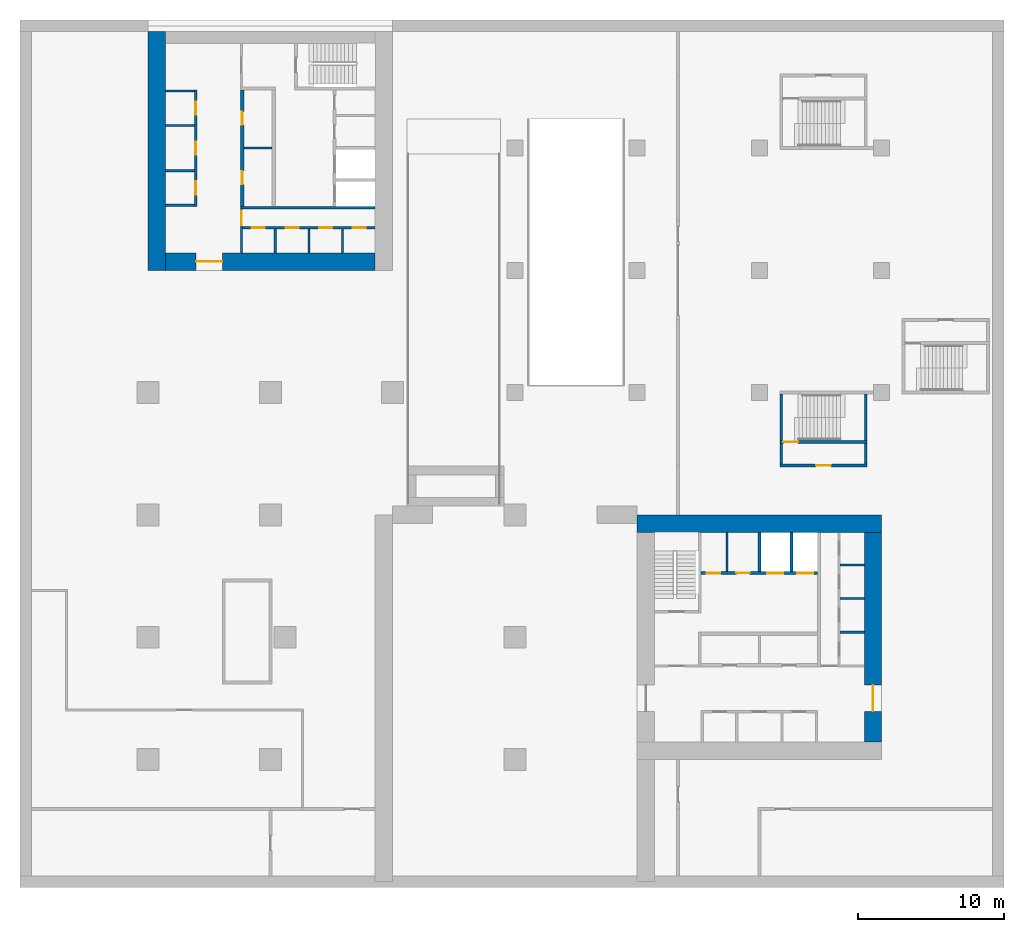
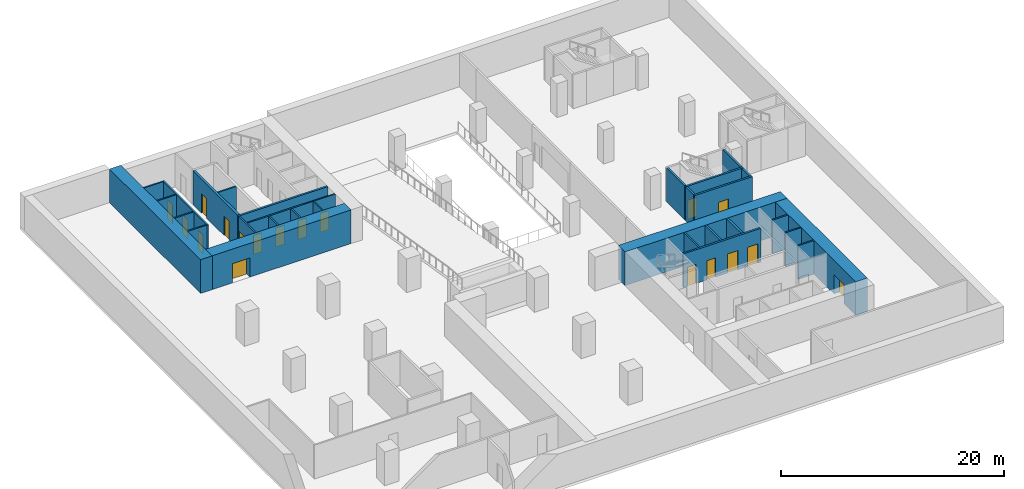
# One storey, part 4 of 7: 30 walls, 18 doors, 18 openings.
"""IFC4 building model written with IfcOpenShell, lengths in metres."""

import ifcopenshell
import ifcopenshell.guid

model = None  # the IFC model being written
_history = None  # IfcOwnerHistory: only IFC2X3 demands one
_inside = {}  # id of a spatial element -> (the spatial element, [elements in it])
_under = {}  # id of a project, library or spatial element -> (it, [spatial elements below it])
_declared = {}  # id of a project -> (the project, [libraries it declares])
_typed = {}  # id of a type object -> (the type object, [elements of that type])
_made_of = {}  # id of a material, layer set ... -> (it, [elements and type objects made of it])


def new_model(schema):
    """Start an empty IFC model of exactly this schema.

    Asked for "IFC4X3", IfcOpenShell would pick the latest addendum, in which some entities
    have other attributes; the version numbers below select the first issue.
    IFC2X3 requires an IfcOwnerHistory on every rooted entity: one is made here for all.
    """
    global model, _history
    if schema == "IFC4X3":
        model = ifcopenshell.file(schema_version=(4, 3, 0, 0))
    else:
        model = ifcopenshell.file(schema=schema)
    _inside.clear()
    _under.clear()
    _declared.clear()
    _typed.clear()
    _made_of.clear()
    _history = None
    if model.schema == "IFC2X3":
        org = make("IfcOrganization", Name="unknown")
        user = make(
            "IfcPersonAndOrganization",
            ThePerson=make("IfcPerson", FamilyName="unknown"),
            TheOrganization=org,
        )
        app = make(
            "IfcApplication",
            ApplicationDeveloper=org,
            Version="unknown",
            ApplicationFullName="unknown",
            ApplicationIdentifier="unknown",
        )
        _history = make(
            "IfcOwnerHistory",
            OwningUser=user,
            OwningApplication=app,
            ChangeAction="ADDED",
            CreationDate=0,
        )
    return model


def make(cls, **values):
    """One entity of the class cls with the attributes given. An attribute that is None is left unset."""
    return model.create_entity(
        cls, **{name: value for name, value in values.items() if value is not None}
    )


def rooted(cls, **values):
    """An entity with a GlobalId (a new one), such as an element, a storey or a relation."""
    return make(cls, GlobalId=ifcopenshell.guid.new(), OwnerHistory=_history, **values)


def si_unit(unit_type, name, prefix=None):
    """IfcSIUnit, for example si_unit("LENGTHUNIT", "METRE", prefix="MILLI")."""
    return make("IfcSIUnit", UnitType=unit_type, Prefix=prefix, Name=name)


def assignment(units):
    """IfcUnitAssignment: the units of a project."""
    return None if units is None else make("IfcUnitAssignment", Units=units)


def point(xyz):
    """IfcCartesianPoint."""
    return None if xyz is None else make("IfcCartesianPoint", Coordinates=xyz)


def direction(xyz):
    """IfcDirection."""
    return None if xyz is None else make("IfcDirection", DirectionRatios=xyz)


def frame(location, z_axis=None, x_axis=None):
    """IfcAxis2Placement3D, a coordinate frame: its origin and axes. An axis left out is left unset."""
    return make(
        "IfcAxis2Placement3D",
        Location=point(location),
        Axis=direction(z_axis),
        RefDirection=direction(x_axis),
    )


def frame_2d(location, x_axis=None):
    """IfcAxis2Placement2D, a coordinate frame in the plane: its origin and x axis."""
    return make(
        "IfcAxis2Placement2D", Location=point(location), RefDirection=direction(x_axis)
    )


def origin():
    """The frame at (0, 0, 0) with its axes left unset."""
    return frame((0.0, 0.0, 0.0))


def place(relative_to, where):
    """IfcLocalPlacement: puts the frame where relative to a parent placement (None: the world)."""
    return make(
        "IfcLocalPlacement", PlacementRelTo=relative_to, RelativePlacement=where
    )


def context(
    kind, dimensions, precision=None, world=None, true_north=None, identifier=None
):
    """IfcGeometricRepresentationContext, for example the 3D "Model" context."""
    return make(
        "IfcGeometricRepresentationContext",
        ContextIdentifier=identifier,
        ContextType=kind,
        CoordinateSpaceDimension=dimensions,
        Precision=precision,
        WorldCoordinateSystem=world,
        TrueNorth=true_north,
    )


def subcontext(parent, identifier, kind, view, scale=None):
    """IfcGeometricRepresentationSubContext, for example "Body" below "Model"."""
    return make(
        "IfcGeometricRepresentationSubContext",
        ContextIdentifier=identifier,
        ContextType=kind,
        ParentContext=parent,
        TargetScale=scale,
        TargetView=view,
    )


def project(units=None, contexts=None):
    """IfcProject with its units and contexts."""
    return rooted(
        "IfcProject",
        Name="project",
        RepresentationContexts=contexts,
        UnitsInContext=assignment(units),
    )


def spatial(cls, under=None, at=None, **own):
    """A site, building, storey or space (cls), placed at a placement, below another one or the project."""
    s = rooted(cls, ObjectPlacement=at, **own)
    if under is not None:
        _under.setdefault(under.id(), (under, []))[1].append(s)
    return s


def profile(cls, at=None, kind="AREA", **sizes):
    """A parametric profile (cls). Its sizes go by their IFC names, for example OverallWidth=200.0."""
    return make(cls, ProfileType=kind, Position=at, **sizes)


def rectangle(**sizes):
    """IfcRectangleProfileDef."""
    return profile("IfcRectangleProfileDef", **sizes)


def extrude(swept, where, along, depth):
    """IfcExtrudedAreaSolid: the profile swept, set in the frame where, extruded along a direction by depth."""
    return make(
        "IfcExtrudedAreaSolid",
        SweptArea=swept,
        Position=where,
        ExtrudedDirection=direction(along),
        Depth=depth,
    )


def shape(context_of_items, identifier, shape_type, items):
    """IfcShapeRepresentation: the items that make up one representation, for example the "Body"."""
    return make(
        "IfcShapeRepresentation",
        ContextOfItems=context_of_items,
        RepresentationIdentifier=identifier,
        RepresentationType=shape_type,
        Items=items,
    )


def material(Name=None, Category=None):
    """IfcMaterial."""
    return make("IfcMaterial", Name=Name, Category=Category)


def layer(
    of_material, thickness, ventilated=None, Name=None, Category=None, Priority=None
):
    """IfcMaterialLayer: one layer of a wall or slab, of a material (None: an air gap)."""
    return make(
        "IfcMaterialLayer",
        Material=of_material,
        LayerThickness=thickness,
        IsVentilated=ventilated,
        Name=Name,
        Category=Category,
        Priority=Priority,
    )


def layer_set(layers, Name=None):
    """IfcMaterialLayerSet."""
    return make("IfcMaterialLayerSet", MaterialLayers=layers, LayerSetName=Name)


def made_of(thing, what):
    """Note that an element or type object is made of a material, layer set ...; save() writes the relation."""
    if what is not None:
        _made_of.setdefault(what.id(), (what, []))[1].append(thing)
    return thing


def type_object(cls, material=None, **own):
    """A type object (cls), such as IfcWallType, which elements share."""
    return made_of(rooted(cls, **own), material)


def element(
    cls,
    number,
    at=None,
    inside=None,
    cuts=None,
    type_object=None,
    material=None,
    context=None,
    identifier="Body",
    shape_type=None,
    held_by="IfcProductDefinitionShape",
    body=None,
    shapes=None,
    **own,
):
    """One element of the class cls, such as IfcWall. Its Tag is "e" and its number.

    at: its placement. inside: the storey or other place that contains it. cuts: it is an
    opening in that element (IfcRelVoidsElement). A single representation is given by context,
    identifier, shape_type and body (its items); several are given by shapes. held_by: the class
    of the entity that holds the representations. save() writes the other relations.
    """
    e = rooted(cls, Tag="e%d" % number, ObjectPlacement=at, **own)
    if body is not None:
        shapes = [shape(context, identifier, shape_type, body)]
    if shapes is not None:
        e.Representation = make(held_by, Representations=shapes)
    if inside is not None:
        _inside.setdefault(inside.id(), (inside, []))[1].append(e)
    if cuts is not None:
        rooted(
            "IfcRelVoidsElement", RelatingBuildingElement=cuts, RelatedOpeningElement=e
        )
    if type_object is not None:
        _typed.setdefault(type_object.id(), (type_object, []))[1].append(e)
    return made_of(e, material)


def fill(opening, filler):
    """IfcRelFillsElement: the door or window that sits in an opening."""
    return rooted(
        "IfcRelFillsElement",
        RelatingOpeningElement=opening,
        RelatedBuildingElement=filler,
    )


def aggregate(whole, parts):
    """IfcRelAggregates: a whole, such as a stair, and the parts it consists of."""
    return rooted("IfcRelAggregates", RelatingObject=whole, RelatedObjects=parts)


def save(model, path):
    """Write the relations noted so far, then the file.

    IfcRelAggregates (storeys below a building ...), IfcRelContainedInSpatialStructure (elements
    in a storey), IfcRelDefinesByType, IfcRelAssociatesMaterial and IfcRelDeclares: one each for
    every whole, place, type object, material and project.
    """
    for whole, parts in _under.values():
        aggregate(whole, parts)
    for where, things in _inside.values():
        rooted(
            "IfcRelContainedInSpatialStructure",
            RelatedElements=things,
            RelatingStructure=where,
        )
    for kind, things in _typed.values():
        rooted("IfcRelDefinesByType", RelatedObjects=things, RelatingType=kind)
    for what, things in _made_of.values():
        rooted("IfcRelAssociatesMaterial", RelatedObjects=things, RelatingMaterial=what)
    for by, libraries in _declared.values():
        rooted("IfcRelDeclares", RelatingContext=by, RelatedDefinitions=libraries)
    model.write(path)


model = new_model("IFC4")

# Units and contexts
model_context = context("Model", 3, precision=1e-05, world=origin(), true_north=direction((0.0, 1.0)))
body_context = subcontext(model_context, "Body", "Model", "MODEL_VIEW")
ifc_project = project(units=[si_unit("LENGTHUNIT", "METRE"), si_unit("AREAUNIT", "SQUARE_METRE"), si_unit("VOLUMEUNIT", "CUBIC_METRE"), si_unit("PLANEANGLEUNIT", "RADIAN"), si_unit("MASSUNIT", "GRAM", prefix="KILO")], contexts=[model_context])

# Site, building, storey
site_placement = place(None, origin())
site = spatial("IfcSite", under=ifc_project, at=site_placement, CompositionType="ELEMENT")
building_placement = place(site_placement, origin())
building = spatial("IfcBuilding", under=site, at=building_placement, Name="Vermilion Gate Residences", CompositionType="ELEMENT")
storey_placement = place(building_placement, frame((0.0, 0.0, -12.0)))
storey = spatial("IfcBuildingStorey", under=building, at=storey_placement, Name="B3", CompositionType="ELEMENT", Elevation=-12.0)

# Walls
ifc_material_1 = material(Name="Masonry blockwork", Category="masonry")
ifc_layer_1 = layer(ifc_material_1, 0.14990234375)
ifc_layer_set_1 = layer_set([ifc_layer_1], Name="BLOCKWORK PARTITION 150 EI 120")
wall_type_1 = type_object("IfcWallType", Name="BLOCKWORK PARTITION 150 EI 120", PredefinedType="PARTITIONING", material=ifc_layer_set_1)
wall_1_placement = place(storey_placement, frame((48.16259765625, 21.300048828125, 0.0), z_axis=(0.0, 0.0, 1.0), x_axis=(0.0, 1.0, 0.0)))
element("IfcWall", 1, at=wall_1_placement, inside=storey, type_object=wall_type_1, Name="Core room partition AB3-NR-P0", PredefinedType="PARTITIONING", context=body_context, shape_type="SweptSolid", body=[
    extrude(rectangle(XDim=2.699951171875, YDim=0.14990234375, at=frame_2d((1.35009765625, 0.0))), origin(), (0.0, 0.0, 1.0), 3.699951171875),
])
for number, where, z_axis, x_axis, name in (
    (2, (55.949951171875, 17.137451171875, 0.0), (0.0, 0.0, 1.0), (1.0, 0.0, 0.0), "Core room partition AB3-ES-P0"),
    (3, (55.949951171875, 19.449951171875, 0.0), (0.0, 0.0, 1.0), (1.0, 0.0, 0.0), "Core room partition AB3-ES-P1"),
    (4, (55.949951171875, 21.762451171875, 0.0), (0.0, 0.0, 1.0), (1.0, 0.0, 0.0), "Core room partition AB3-ES-P2"),
):
    element("IfcWall", number, at=place(storey_placement, frame(where, z_axis=z_axis, x_axis=x_axis)), inside=storey, type_object=wall_type_1, Name=name, PredefinedType="PARTITIONING", context=body_context, shape_type="SweptSolid", body=[
        extrude(rectangle(XDim=1.650146484375, YDim=0.14990234375, at=frame_2d((0.8251953125, 0.0))), origin(), (0.0, 0.0, 1.0), 3.699951171875),
    ])
for number, where, z_axis, x_axis, name in (
    (5, (9.60009765625, 54.324951171875, 0.0), (0.0, 0.0, 1.0), (1.0, 0.0, 0.0), "Core room partition BB3-RW-W"),
    (6, (9.60009765625, 46.47509765625, 0.0), (0.0, 0.0, 1.0), (1.0, 0.0, 0.0), "Core room partition BB3-RW-E"),
    (7, (9.60009765625, 51.955078125, 0.0), (0.0, 0.0, 1.0), (1.0, 0.0, 0.0), "Core room partition BB3-SR-P0"),
    (8, (9.60009765625, 48.844970703125, 0.0), (0.0, 0.0, 1.0), (1.0, 0.0, 0.0), "Core room partition BB3-SR-P1"),
):
    element("IfcWall", number, at=place(storey_placement, frame(where, z_axis=z_axis, x_axis=x_axis)), inside=storey, type_object=wall_type_1, Name=name, PredefinedType="PARTITIONING", context=body_context, shape_type="SweptSolid", body=[
        extrude(rectangle(XDim=2.0, YDim=0.14990234375, at=frame_2d((1.0, 0.0))), origin(), (0.0, 0.0, 1.0), 3.699951171875),
    ])

# Wall, openings, doors
wall_2_placement = place(storey_placement, frame((11.675048828125, 54.39990234375, 0.0), z_axis=(0.0, 0.0, 1.0), x_axis=(0.0, -1.0, 0.0)))
wall_2 = element("IfcWall", 9, at=wall_2_placement, inside=storey, type_object=wall_type_1, Name="Core room partition BB3-LR-F", PredefinedType="PARTITIONING", context=body_context, shape_type="SweptSolid", body=[
    extrude(rectangle(XDim=8.0, YDim=0.14990234375, at=frame_2d((4.0, 0.0))), origin(), (0.0, 0.0, 1.0), 3.699951171875),
])
opening_1_placement = place(wall_2_placement, frame((0.81005859375, 0.0, 0.0)))
opening_1 = element("IfcOpeningElement", 10, at=opening_1_placement, cuts=wall_2, Name="Opening DKB3102", PredefinedType="OPENING", context=body_context, shape_type="SweptSolid", body=[
    extrude(rectangle(XDim=0.89990234375, YDim=2.10009765625, at=frame_2d((0.449951171875, 1.050048828125))), frame((0.0, 0.0849609375, 0.0), z_axis=(0.0, -1.0, 0.0), x_axis=(1.0, 0.0, 0.0)), (0.0, 0.0, 1.0), 0.169921875),
])
opening_2_placement = place(wall_2_placement, frame((3.550048828125, 0.0, 0.0)))
opening_2 = element("IfcOpeningElement", 11, at=opening_2_placement, cuts=wall_2, Name="Opening DKB3103", PredefinedType="OPENING", context=body_context, shape_type="SweptSolid", body=[
    extrude(rectangle(XDim=0.89990234375, YDim=2.10009765625, at=frame_2d((0.449951171875, 1.050048828125))), frame((0.0, 0.0849609375, 0.0), z_axis=(0.0, -1.0, 0.0), x_axis=(1.0, 0.0, 0.0)), (0.0, 0.0, 1.0), 0.169921875),
])
opening_3_placement = place(wall_2_placement, frame((6.2900390625, 0.0, 0.0)))
opening_3 = element("IfcOpeningElement", 12, at=opening_3_placement, cuts=wall_2, Name="Opening DKB3104", PredefinedType="OPENING", context=body_context, shape_type="SweptSolid", body=[
    extrude(rectangle(XDim=0.89990234375, YDim=2.10009765625, at=frame_2d((0.449951171875, 1.050048828125))), frame((0.0, 0.0849609375, 0.0), z_axis=(0.0, -1.0, 0.0), x_axis=(1.0, 0.0, 0.0)), (0.0, 0.0, 1.0), 0.169921875),
])
ifc_material_2 = material(Name="Steel", Category="steel")
door_type_1 = type_object("IfcDoorType", Name="SERVICE ROOM DOOR FD60 900 X 2100", OperationType="SINGLE_SWING_LEFT", PredefinedType="DOOR", material=ifc_material_2)
door_1_placement = place(opening_1_placement, frame((0.89990234375, 0.0, 0.0), z_axis=(0.0, 0.0, 1.0), x_axis=(-1.0, 0.0, 0.0)))
door_1 = element("IfcDoor", 13, at=door_1_placement, inside=storey, type_object=door_type_1, Name="Housekeeping store BB3", OperationType="SINGLE_SWING_LEFT", OverallHeight=2.10009765625, OverallWidth=0.89990234375, PredefinedType="DOOR", context=body_context, shape_type="SweptSolid", body=[
    extrude(rectangle(XDim=0.89990234375, YDim=2.10009765625, at=frame_2d((0.449951171875, 1.050048828125))), frame((0.0, 0.02490234375, 0.0), z_axis=(0.0, -1.0, 0.0), x_axis=(1.0, 0.0, 0.0)), (0.0, 0.0, 1.0), 0.050048828125),
])
fill(opening_1, door_1)
door_2_placement = place(opening_2_placement, frame((0.89990234375, 0.0, 0.0), z_axis=(0.0, 0.0, 1.0), x_axis=(-1.0, 0.0, 0.0)))
door_2 = element("IfcDoor", 14, at=door_2_placement, inside=storey, type_object=door_type_1, Name="Fire equipment store BB3", OperationType="SINGLE_SWING_RIGHT", OverallHeight=2.10009765625, OverallWidth=0.89990234375, PredefinedType="DOOR", context=body_context, shape_type="SweptSolid", body=[
    extrude(rectangle(XDim=0.89990234375, YDim=2.10009765625, at=frame_2d((0.449951171875, 1.050048828125))), frame((0.0, 0.02490234375, 0.0), z_axis=(0.0, -1.0, 0.0), x_axis=(1.0, 0.0, 0.0)), (0.0, 0.0, 1.0), 0.050048828125),
])
fill(opening_2, door_2)
door_3_placement = place(opening_3_placement, frame((0.89990234375, 0.0, 0.0), z_axis=(0.0, 0.0, 1.0), x_axis=(-1.0, 0.0, 0.0)))
door_3 = element("IfcDoor", 15, at=door_3_placement, inside=storey, type_object=door_type_1, Name="Mail room BB3", OperationType="SINGLE_SWING_RIGHT", OverallHeight=2.10009765625, OverallWidth=0.89990234375, PredefinedType="DOOR", context=body_context, shape_type="SweptSolid", body=[
    extrude(rectangle(XDim=0.89990234375, YDim=2.10009765625, at=frame_2d((0.449951171875, 1.050048828125))), frame((0.0, 0.02490234375, 0.0), z_axis=(0.0, -1.0, 0.0), x_axis=(1.0, 0.0, 0.0)), (0.0, 0.0, 1.0), 0.050048828125),
])
fill(opening_3, door_3)

# Wall
wall_3_placement = place(storey_placement, frame((15.0, 50.39990234375, 0.0), z_axis=(0.0, 0.0, 1.0), x_axis=(1.0, 0.0, 0.0)))
element("IfcWall", 16, at=wall_3_placement, inside=storey, type_object=wall_type_1, Name="Core room partition BB3-HR-P0", PredefinedType="PARTITIONING", context=body_context, shape_type="SweptSolid", body=[
    extrude(rectangle(XDim=1.89990234375, YDim=0.14990234375, at=frame_2d((0.949951171875, 0.0))), origin(), (0.0, 0.0, 1.0), 3.699951171875),
])

# Wall, opening, door
wall_4_placement = place(storey_placement, frame((14.824951171875, 46.199951171875, 0.0), z_axis=(0.0, 0.0, 1.0), x_axis=(0.0, -1.0, 0.0)))
wall_4 = element("IfcWall", 17, at=wall_4_placement, inside=storey, type_object=wall_type_1, Name="Core room partition BB3-ES-S", PredefinedType="PARTITIONING", context=body_context, shape_type="SweptSolid", body=[
    extrude(rectangle(XDim=3.0, YDim=0.14990234375, at=frame_2d((1.5, 0.0))), origin(), (0.0, 0.0, 1.0), 3.699951171875),
])
opening_4_placement = place(wall_4_placement, frame((0.10009765625, 0.0, 0.0)))
opening_4 = element("IfcOpeningElement", 18, at=opening_4_placement, cuts=wall_4, Name="Opening DKB3113", PredefinedType="OPENING", context=body_context, shape_type="SweptSolid", body=[
    extrude(rectangle(XDim=1.0, YDim=2.10009765625, at=frame_2d((0.5, 1.050048828125))), frame((0.0, 0.0849609375, 0.0), z_axis=(0.0, -1.0, 0.0), x_axis=(1.0, 0.0, 0.0)), (0.0, 0.0, 1.0), 0.169921875),
])
ifc_material_3 = material(Name="Steel", Category="steel")
door_type_2 = type_object("IfcDoorType", Name="FIRE DOOR FD60 1000 X 2100", OperationType="SINGLE_SWING_LEFT", PredefinedType="DOOR", material=ifc_material_3)
door_4_placement = place(opening_4_placement, frame((1.0, 0.0, 0.0), z_axis=(0.0, 0.0, 1.0), x_axis=(-1.0, 0.0, 0.0)))
door_4 = element("IfcDoor", 19, at=door_4_placement, inside=storey, type_object=door_type_2, Name="Service corridor door BB3", OperationType="SINGLE_SWING_LEFT", OverallHeight=2.10009765625, OverallWidth=1.0, PredefinedType="DOOR", context=body_context, shape_type="SweptSolid", body=[
    extrude(rectangle(XDim=1.0, YDim=2.10009765625, at=frame_2d((0.5, 1.050048828125))), frame((0.0, 0.02490234375, 0.0), z_axis=(0.0, -1.0, 0.0), x_axis=(1.0, 0.0, 0.0)), (0.0, 0.0, 1.0), 0.050048828125),
])
fill(opening_4, door_4)

# Walls
for number, where, z_axis, x_axis, name in (
    (20, (17.137451171875, 44.85009765625, 0.0), (0.0, 0.0, 1.0), (0.0, -1.0, 0.0), "Core room partition BB3-ES-P0"),
    (21, (19.449951171875, 44.85009765625, 0.0), (0.0, 0.0, 1.0), (0.0, -1.0, 0.0), "Core room partition BB3-ES-P1"),
    (22, (21.762451171875, 44.85009765625, 0.0), (0.0, 0.0, 1.0), (0.0, -1.0, 0.0), "Core room partition BB3-ES-P2"),
):
    element("IfcWall", number, at=place(storey_placement, frame(where, z_axis=z_axis, x_axis=x_axis)), inside=storey, type_object=wall_type_1, Name=name, PredefinedType="PARTITIONING", context=body_context, shape_type="SweptSolid", body=[
        extrude(rectangle(XDim=1.650146484375, YDim=0.14990234375, at=frame_2d((0.8251953125, 0.0))), origin(), (0.0, 0.0, 1.0), 3.699951171875),
    ])

# Wall, openings, doors
wall_5_placement = place(storey_placement, frame((14.89990234375, 44.925048828125, 0.0), z_axis=(0.0, 0.0, 1.0), x_axis=(1.0, 0.0, 0.0)))
wall_5 = element("IfcWall", 23, at=wall_5_placement, inside=storey, type_object=wall_type_1, Name="Core room partition BB3-ES-W", PredefinedType="PARTITIONING", context=body_context, shape_type="SweptSolid", body=[
    extrude(rectangle(XDim=9.10009765625, YDim=0.14990234375, at=frame_2d((4.550048828125, 0.0))), origin(), (0.0, 0.0, 1.0), 3.699951171875),
])
opening_5_placement = place(wall_5_placement, frame((0.63134765625, 0.0, 0.0)))
opening_5 = element("IfcOpeningElement", 24, at=opening_5_placement, cuts=wall_5, Name="Opening DKB3114", PredefinedType="OPENING", context=body_context, shape_type="SweptSolid", body=[
    extrude(rectangle(XDim=0.89990234375, YDim=2.10009765625, at=frame_2d((0.449951171875, 1.050048828125))), frame((0.0, 0.0849609375, 0.0), z_axis=(0.0, -1.0, 0.0), x_axis=(1.0, 0.0, 0.0)), (0.0, 0.0, 1.0), 0.169921875),
])
opening_6_placement = place(wall_5_placement, frame((2.94384765625, 0.0, 0.0)))
opening_6 = element("IfcOpeningElement", 25, at=opening_6_placement, cuts=wall_5, Name="Opening DKB3115", PredefinedType="OPENING", context=body_context, shape_type="SweptSolid", body=[
    extrude(rectangle(XDim=0.89990234375, YDim=2.10009765625, at=frame_2d((0.449951171875, 1.050048828125))), frame((0.0, 0.0849609375, 0.0), z_axis=(0.0, -1.0, 0.0), x_axis=(1.0, 0.0, 0.0)), (0.0, 0.0, 1.0), 0.169921875),
])
opening_7_placement = place(wall_5_placement, frame((5.25634765625, 0.0, 0.0)))
opening_7 = element("IfcOpeningElement", 26, at=opening_7_placement, cuts=wall_5, Name="Opening DKB3116", PredefinedType="OPENING", context=body_context, shape_type="SweptSolid", body=[
    extrude(rectangle(XDim=0.89990234375, YDim=2.10009765625, at=frame_2d((0.449951171875, 1.050048828125))), frame((0.0, 0.0849609375, 0.0), z_axis=(0.0, -1.0, 0.0), x_axis=(1.0, 0.0, 0.0)), (0.0, 0.0, 1.0), 0.169921875),
])
opening_8_placement = place(wall_5_placement, frame((7.56884765625, 0.0, 0.0)))
opening_8 = element("IfcOpeningElement", 27, at=opening_8_placement, cuts=wall_5, Name="Opening DKB3117", PredefinedType="OPENING", context=body_context, shape_type="SweptSolid", body=[
    extrude(rectangle(XDim=0.89990234375, YDim=2.10009765625, at=frame_2d((0.449951171875, 1.050048828125))), frame((0.0, 0.0849609375, 0.0), z_axis=(0.0, -1.0, 0.0), x_axis=(1.0, 0.0, 0.0)), (0.0, 0.0, 1.0), 0.169921875),
])
door_5_placement = place(opening_5_placement, frame((0.89990234375, 0.0, 0.0), z_axis=(0.0, 0.0, 1.0), x_axis=(-1.0, 0.0, 0.0)))
door_5 = element("IfcDoor", 28, at=door_5_placement, inside=storey, type_object=door_type_1, Name="Electrical room BB3", OperationType="SINGLE_SWING_RIGHT", OverallHeight=2.10009765625, OverallWidth=0.89990234375, PredefinedType="DOOR", context=body_context, shape_type="SweptSolid", body=[
    extrude(rectangle(XDim=0.89990234375, YDim=2.10009765625, at=frame_2d((0.449951171875, 1.050048828125))), frame((0.0, 0.02490234375, 0.0), z_axis=(0.0, -1.0, 0.0), x_axis=(1.0, 0.0, 0.0)), (0.0, 0.0, 1.0), 0.050048828125),
])
fill(opening_5, door_5)
door_6_placement = place(opening_6_placement, frame((0.89990234375, 0.0, 0.0), z_axis=(0.0, 0.0, 1.0), x_axis=(-1.0, 0.0, 0.0)))
door_6 = element("IfcDoor", 29, at=door_6_placement, inside=storey, type_object=door_type_1, Name="Storage room BB3", OperationType="SINGLE_SWING_RIGHT", OverallHeight=2.10009765625, OverallWidth=0.89990234375, PredefinedType="DOOR", context=body_context, shape_type="SweptSolid", body=[
    extrude(rectangle(XDim=0.89990234375, YDim=2.10009765625, at=frame_2d((0.449951171875, 1.050048828125))), frame((0.0, 0.02490234375, 0.0), z_axis=(0.0, -1.0, 0.0), x_axis=(1.0, 0.0, 0.0)), (0.0, 0.0, 1.0), 0.050048828125),
])
fill(opening_6, door_6)
door_7_placement = place(opening_7_placement, frame((0.89990234375, 0.0, 0.0), z_axis=(0.0, 0.0, 1.0), x_axis=(-1.0, 0.0, 0.0)))
door_7 = element("IfcDoor", 30, at=door_7_placement, inside=storey, type_object=door_type_1, Name="Storage room BB3", OperationType="SINGLE_SWING_RIGHT", OverallHeight=2.10009765625, OverallWidth=0.89990234375, PredefinedType="DOOR", context=body_context, shape_type="SweptSolid", body=[
    extrude(rectangle(XDim=0.89990234375, YDim=2.10009765625, at=frame_2d((0.449951171875, 1.050048828125))), frame((0.0, 0.02490234375, 0.0), z_axis=(0.0, -1.0, 0.0), x_axis=(1.0, 0.0, 0.0)), (0.0, 0.0, 1.0), 0.050048828125),
])
fill(opening_7, door_7)
door_8_placement = place(opening_8_placement, frame((0.89990234375, 0.0, 0.0), z_axis=(0.0, 0.0, 1.0), x_axis=(-1.0, 0.0, 0.0)))
door_8 = element("IfcDoor", 31, at=door_8_placement, inside=storey, type_object=door_type_1, Name="Communications room BB3", OperationType="SINGLE_SWING_RIGHT", OverallHeight=2.10009765625, OverallWidth=0.89990234375, PredefinedType="DOOR", context=body_context, shape_type="SweptSolid", body=[
    extrude(rectangle(XDim=0.89990234375, YDim=2.10009765625, at=frame_2d((0.449951171875, 1.050048828125))), frame((0.0, 0.02490234375, 0.0), z_axis=(0.0, -1.0, 0.0), x_axis=(1.0, 0.0, 0.0)), (0.0, 0.0, 1.0), 0.050048828125),
])
fill(opening_8, door_8)

# Walls
ifc_material_4 = material(Name="Concrete C60", Category="concrete")
ifc_layer_2 = layer(ifc_material_4, 0.199951171875)
ifc_layer_set_2 = layer_set([ifc_layer_2], Name="RC CORE INTERNAL WALL 200 C60")
wall_type_2 = type_object("IfcWallType", Name="RC CORE INTERNAL WALL 200 C60", PredefinedType="SHEAR", material=ifc_layer_set_2)
for number, where, z_axis, x_axis, name in (
    (32, (50.39990234375, 21.300048828125, 0.0), (0.0, 0.0, 1.0), (0.0, 1.0, 0.0), "Core internal wall AB3-FF-D0"),
    (33, (52.60009765625, 21.300048828125, 0.0), (0.0, 0.0, 1.0), (0.0, 1.0, 0.0), "Core internal wall AB3-FF-D1"),
):
    element("IfcWall", number, at=place(storey_placement, frame(where, z_axis=z_axis, x_axis=x_axis)), inside=storey, type_object=wall_type_2, Name=name, PredefinedType="SHEAR", context=body_context, shape_type="SweptSolid", body=[
        extrude(rectangle(XDim=2.699951171875, YDim=0.199951171875, at=frame_2d((1.35009765625, 0.0))), origin(), (0.0, 0.0, 1.0), 3.699951171875),
    ])

# Wall, openings, doors
wall_6_placement = place(storey_placement, frame((46.39990234375, 21.199951171875, 0.0), z_axis=(0.0, 0.0, 1.0), x_axis=(1.0, 0.0, 0.0)))
wall_6 = element("IfcWall", 34, at=wall_6_placement, inside=storey, type_object=wall_type_2, Name="Core internal wall AB3-FF-F", PredefinedType="SHEAR", context=body_context, shape_type="SweptSolid", body=[
    extrude(rectangle(XDim=8.0, YDim=0.199951171875, at=frame_2d((4.0, 0.0))), origin(), (0.0, 0.0, 1.0), 3.699951171875),
])
opening_9_placement = place(wall_6_placement, frame((0.393798828125, 0.0, 0.0)))
opening_9 = element("IfcOpeningElement", 35, at=opening_9_placement, cuts=wall_6, Name="Opening DKB3008", PredefinedType="OPENING", context=body_context, shape_type="SweptSolid", body=[
    extrude(rectangle(XDim=0.89990234375, YDim=2.10009765625, at=frame_2d((0.449951171875, 1.050048828125))), frame((0.0, 0.10986328125, 0.0), z_axis=(0.0, -1.0, 0.0), x_axis=(1.0, 0.0, 0.0)), (0.0, 0.0, 1.0), 0.219970703125),
])
opening_10_placement = place(wall_6_placement, frame((2.418701171875, 0.0, 0.0)))
opening_10 = element("IfcOpeningElement", 36, at=opening_10_placement, cuts=wall_6, Name="Opening DKB3009", PredefinedType="OPENING", context=body_context, shape_type="SweptSolid", body=[
    extrude(rectangle(XDim=0.89990234375, YDim=2.10009765625, at=frame_2d((0.449951171875, 1.050048828125))), frame((0.0, 0.10986328125, 0.0), z_axis=(0.0, -1.0, 0.0), x_axis=(1.0, 0.0, 0.0)), (0.0, 0.0, 1.0), 0.219970703125),
])
opening_11_placement = place(wall_6_placement, frame((4.550048828125, 0.0, 0.0)))
opening_11 = element("IfcOpeningElement", 37, at=opening_11_placement, cuts=wall_6, Name="Opening LD", PredefinedType="OPENING", context=body_context, shape_type="SweptSolid", body=[
    extrude(rectangle(XDim=1.10009765625, YDim=2.10009765625, at=frame_2d((0.550048828125, 1.050048828125))), frame((0.0, 0.10986328125, 0.0), z_axis=(0.0, -1.0, 0.0), x_axis=(1.0, 0.0, 0.0)), (0.0, 0.0, 1.0), 0.219970703125),
])
opening_12_placement = place(wall_6_placement, frame((6.60009765625, 0.0, 0.0)))
opening_12 = element("IfcOpeningElement", 38, at=opening_12_placement, cuts=wall_6, Name="Opening LD", PredefinedType="OPENING", context=body_context, shape_type="SweptSolid", body=[
    extrude(rectangle(XDim=1.10009765625, YDim=2.10009765625, at=frame_2d((0.550048828125, 1.050048828125))), frame((0.0, 0.10986328125, 0.0), z_axis=(0.0, -1.0, 0.0), x_axis=(1.0, 0.0, 0.0)), (0.0, 0.0, 1.0), 0.219970703125),
])
ifc_material_5 = material(Name="Stainless steel", Category="steel")
door_type_3 = type_object("IfcDoorType", Name="LIFT LANDING DOOR E60 1100 X 2100", OperationType="DOUBLE_DOOR_SLIDING", PredefinedType="DOOR", material=ifc_material_5)
door_9_placement = place(opening_11_placement, origin())
door_9 = element("IfcDoor", 39, at=door_9_placement, inside=storey, type_object=door_type_3, Name="Lift landing door LFA1", OperationType="DOUBLE_DOOR_SLIDING", OverallHeight=2.10009765625, OverallWidth=1.10009765625, PredefinedType="DOOR", context=body_context, shape_type="SweptSolid", body=[
    extrude(rectangle(XDim=1.10009765625, YDim=2.10009765625, at=frame_2d((0.550048828125, 1.050048828125))), frame((0.0, 0.02490234375, 0.0), z_axis=(0.0, -1.0, 0.0), x_axis=(1.0, 0.0, 0.0)), (0.0, 0.0, 1.0), 0.050048828125),
])
fill(opening_11, door_9)
door_10_placement = place(opening_12_placement, origin())
door_10 = element("IfcDoor", 40, at=door_10_placement, inside=storey, type_object=door_type_3, Name="Lift landing door LCA1", OperationType="DOUBLE_DOOR_SLIDING", OverallHeight=2.10009765625, OverallWidth=1.10009765625, PredefinedType="DOOR", context=body_context, shape_type="SweptSolid", body=[
    extrude(rectangle(XDim=1.10009765625, YDim=2.10009765625, at=frame_2d((0.550048828125, 1.050048828125))), frame((0.0, 0.02490234375, 0.0), z_axis=(0.0, -1.0, 0.0), x_axis=(1.0, 0.0, 0.0)), (0.0, 0.0, 1.0), 0.050048828125),
])
fill(opening_12, door_10)
door_11_placement = place(opening_9_placement, origin())
door_11 = element("IfcDoor", 41, at=door_11_placement, inside=storey, type_object=door_type_1, Name="Parcel room AB3", OperationType="SINGLE_SWING_LEFT", OverallHeight=2.10009765625, OverallWidth=0.89990234375, PredefinedType="DOOR", context=body_context, shape_type="SweptSolid", body=[
    extrude(rectangle(XDim=0.89990234375, YDim=2.10009765625, at=frame_2d((0.449951171875, 1.050048828125))), frame((0.0, 0.02490234375, 0.0), z_axis=(0.0, -1.0, 0.0), x_axis=(1.0, 0.0, 0.0)), (0.0, 0.0, 1.0), 0.050048828125),
])
fill(opening_9, door_11)
door_12_placement = place(opening_10_placement, frame((0.89990234375, 0.0, 0.0), z_axis=(0.0, 0.0, 1.0), x_axis=(-1.0, 0.0, 0.0)))
door_12 = element("IfcDoor", 42, at=door_12_placement, inside=storey, type_object=door_type_1, Name="Electrical room AB3", OperationType="SINGLE_SWING_RIGHT", OverallHeight=2.10009765625, OverallWidth=0.89990234375, PredefinedType="DOOR", context=body_context, shape_type="SweptSolid", body=[
    extrude(rectangle(XDim=0.89990234375, YDim=2.10009765625, at=frame_2d((0.449951171875, 1.050048828125))), frame((0.0, 0.02490234375, 0.0), z_axis=(0.0, -1.0, 0.0), x_axis=(1.0, 0.0, 0.0)), (0.0, 0.0, 1.0), 0.050048828125),
])
fill(opening_10, door_12)

# Walls
wall_7_placement = place(storey_placement, frame((14.75, 46.300048828125, 0.0), z_axis=(0.0, 0.0, 1.0), x_axis=(1.0, 0.0, 0.0)))
element("IfcWall", 43, at=wall_7_placement, inside=storey, type_object=wall_type_2, Name="Core internal wall BB3-EDIV", PredefinedType="SHEAR", context=body_context, shape_type="SweptSolid", body=[
    extrude(rectangle(XDim=9.25, YDim=0.199951171875, at=frame_2d((4.625, 0.0))), origin(), (0.0, 0.0, 1.0), 3.699951171875),
])
ifc_material_6 = material(Name="Concrete C80", Category="concrete")
ifc_layer_3 = layer(ifc_material_6, 1.199951171875)
ifc_layer_set_3 = layer_set([ifc_layer_3], Name="RC CORE WALL 1200 C80")
wall_type_3 = type_object("IfcWallType", Name="RC CORE WALL 1200 C80", PredefinedType="SHEAR", material=ifc_layer_set_3)
wall_8_placement = place(storey_placement, frame((42.0, 24.60009765625, 0.0), z_axis=(0.0, 0.0, 1.0), x_axis=(1.0, 0.0, 0.0)))
element("IfcWall", 44, at=wall_8_placement, inside=storey, type_object=wall_type_3, Name="Core wall AB3-OUT-B1", PredefinedType="SHEAR", context=body_context, shape_type="SweptSolid", body=[
    extrude(rectangle(XDim=16.800048828125, YDim=1.199951171875, at=frame_2d((8.39990234375, 0.0))), origin(), (0.0, 0.0, 1.0), 3.699951171875),
])

# Wall, opening, door
wall_9_placement = place(storey_placement, frame((58.199951171875, 9.60009765625, 0.0), z_axis=(0.0, 0.0, 1.0), x_axis=(0.0, 1.0, 0.0)))
wall_9 = element("IfcWall", 45, at=wall_9_placement, inside=storey, type_object=wall_type_3, Name="Core wall AB3-OUT-BK", PredefinedType="SHEAR", context=body_context, shape_type="SweptSolid", body=[
    extrude(rectangle(XDim=14.39990234375, YDim=1.199951171875, at=frame_2d((7.199951171875, 0.0))), origin(), (0.0, 0.0, 1.0), 3.699951171875),
])
opening_13_placement = place(wall_9_placement, frame((2.10009765625, 0.0, 0.0)))
opening_13 = element("IfcOpeningElement", 46, at=opening_13_placement, cuts=wall_9, Name="Opening DKB3002", PredefinedType="OPENING", context=body_context, shape_type="SweptSolid", body=[
    extrude(rectangle(XDim=1.800048828125, YDim=2.10009765625, at=frame_2d((0.89990234375, 1.050048828125))), frame((0.0, 0.60986328125, 0.0), z_axis=(0.0, -1.0, 0.0), x_axis=(1.0, 0.0, 0.0)), (0.0, 0.0, 1.0), 1.219970703125),
])
ifc_material_7 = material(Name="Steel", Category="steel")
door_type_4 = type_object("IfcDoorType", Name="CORE LOBBY DOOR FD60 1800 X 2100", OperationType="DOUBLE_DOOR_SINGLE_SWING", PredefinedType="DOOR", material=ifc_material_7)
door_13_placement = place(opening_13_placement, origin())
door_13 = element("IfcDoor", 47, at=door_13_placement, inside=storey, type_object=door_type_4, Name="Core lobby door AB3", OperationType="DOUBLE_DOOR_SINGLE_SWING", OverallHeight=2.10009765625, OverallWidth=1.800048828125, PredefinedType="DOOR", context=body_context, shape_type="SweptSolid", body=[
    extrude(rectangle(XDim=1.800048828125, YDim=2.10009765625, at=frame_2d((0.89990234375, 1.050048828125))), frame((0.0, 0.02490234375, 0.0), z_axis=(0.0, -1.0, 0.0), x_axis=(1.0, 0.0, 0.0)), (0.0, 0.0, 1.0), 0.050048828125),
])
fill(opening_13, door_13)

# Wall
wall_10_placement = place(storey_placement, frame((9.0, 58.39990234375, 0.0), z_axis=(0.0, 0.0, 1.0), x_axis=(0.0, -1.0, 0.0)))
element("IfcWall", 48, at=wall_10_placement, inside=storey, type_object=wall_type_3, Name="Core wall BB3-OUT-B0", PredefinedType="SHEAR", context=body_context, shape_type="SweptSolid", body=[
    extrude(rectangle(XDim=16.39990234375, YDim=1.199951171875, at=frame_2d((8.199951171875, 0.0))), origin(), (0.0, 0.0, 1.0), 3.699951171875),
])

# Wall, opening, door
wall_11_placement = place(storey_placement, frame((9.60009765625, 42.60009765625, 0.0), z_axis=(0.0, 0.0, 1.0), x_axis=(1.0, 0.0, 0.0)))
wall_11 = element("IfcWall", 49, at=wall_11_placement, inside=storey, type_object=wall_type_3, Name="Core wall BB3-OUT-BK", PredefinedType="SHEAR", context=body_context, shape_type="SweptSolid", body=[
    extrude(rectangle(XDim=14.39990234375, YDim=1.199951171875, at=frame_2d((7.199951171875, 0.0))), origin(), (0.0, 0.0, 1.0), 3.699951171875),
])
opening_14_placement = place(wall_11_placement, frame((2.10009765625, 0.0, 0.0)))
opening_14 = element("IfcOpeningElement", 50, at=opening_14_placement, cuts=wall_11, Name="Opening DKB3101", PredefinedType="OPENING", context=body_context, shape_type="SweptSolid", body=[
    extrude(rectangle(XDim=1.800048828125, YDim=2.10009765625, at=frame_2d((0.89990234375, 1.050048828125))), frame((0.0, 0.60986328125, 0.0), z_axis=(0.0, -1.0, 0.0), x_axis=(1.0, 0.0, 0.0)), (0.0, 0.0, 1.0), 1.219970703125),
])
door_14_placement = place(opening_14_placement, frame((1.800048828125, 0.0, 0.0), z_axis=(0.0, 0.0, 1.0), x_axis=(-1.0, 0.0, 0.0)))
door_14 = element("IfcDoor", 51, at=door_14_placement, inside=storey, type_object=door_type_4, Name="Core lobby door BB3", OperationType="DOUBLE_DOOR_SINGLE_SWING", OverallHeight=2.10009765625, OverallWidth=1.800048828125, PredefinedType="DOOR", context=body_context, shape_type="SweptSolid", body=[
    extrude(rectangle(XDim=1.800048828125, YDim=2.10009765625, at=frame_2d((0.89990234375, 1.050048828125))), frame((0.0, 0.02490234375, 0.0), z_axis=(0.0, -1.0, 0.0), x_axis=(1.0, 0.0, 0.0)), (0.0, 0.0, 1.0), 0.050048828125),
])
fill(opening_14, door_14)

# Wall, openings, doors
ifc_material_8 = material(Name="Concrete C60", Category="concrete")
ifc_layer_4 = layer(ifc_material_8, 0.25)
ifc_layer_set_4 = layer_set([ifc_layer_4], Name="RC LIFT SHAFT WALL 250 C60")
wall_type_4 = type_object("IfcWallType", Name="RC LIFT SHAFT WALL 250 C60", PredefinedType="SHEAR", material=ifc_layer_set_4)
wall_12_placement = place(storey_placement, frame((14.875, 54.39990234375, 0.0), z_axis=(0.0, 0.0, 1.0), x_axis=(0.0, -1.0, 0.0)))
wall_12 = element("IfcWall", 52, at=wall_12_placement, inside=storey, type_object=wall_type_4, Name="Lift shaft wall BB3-HR-F", PredefinedType="SHEAR", context=body_context, shape_type="SweptSolid", body=[
    extrude(rectangle(XDim=8.0, YDim=0.25, at=frame_2d((4.0, 0.0))), origin(), (0.0, 0.0, 1.0), 3.699951171875),
])
opening_15_placement = place(wall_12_placement, frame((1.512451171875, 0.0, 0.0)))
opening_15 = element("IfcOpeningElement", 53, at=opening_15_placement, cuts=wall_12, Name="Opening DKB3105", PredefinedType="OPENING", context=body_context, shape_type="SweptSolid", body=[
    extrude(rectangle(XDim=0.89990234375, YDim=2.10009765625, at=frame_2d((0.449951171875, 1.050048828125))), frame((0.0, 0.135009765625, 0.0), z_axis=(0.0, -1.0, 0.0), x_axis=(1.0, 0.0, 0.0)), (0.0, 0.0, 1.0), 0.27001953125),
])
opening_16_placement = place(wall_12_placement, frame((5.58740234375, 0.0, 0.0)))
opening_16 = element("IfcOpeningElement", 54, at=opening_16_placement, cuts=wall_12, Name="Opening DKB3106", PredefinedType="OPENING", context=body_context, shape_type="SweptSolid", body=[
    extrude(rectangle(XDim=0.89990234375, YDim=2.10009765625, at=frame_2d((0.449951171875, 1.050048828125))), frame((0.0, 0.135009765625, 0.0), z_axis=(0.0, -1.0, 0.0), x_axis=(1.0, 0.0, 0.0)), (0.0, 0.0, 1.0), 0.27001953125),
])
door_15_placement = place(opening_15_placement, frame((0.89990234375, 0.0, 0.0), z_axis=(0.0, 0.0, 1.0), x_axis=(-1.0, 0.0, 0.0)))
door_15 = element("IfcDoor", 55, at=door_15_placement, inside=storey, type_object=door_type_1, Name="Plant room BB3", OperationType="SINGLE_SWING_RIGHT", OverallHeight=2.10009765625, OverallWidth=0.89990234375, PredefinedType="DOOR", context=body_context, shape_type="SweptSolid", body=[
    extrude(rectangle(XDim=0.89990234375, YDim=2.10009765625, at=frame_2d((0.449951171875, 1.050048828125))), frame((0.0, 0.02490234375, 0.0), z_axis=(0.0, -1.0, 0.0), x_axis=(1.0, 0.0, 0.0)), (0.0, 0.0, 1.0), 0.050048828125),
])
fill(opening_15, door_15)
door_16_placement = place(opening_16_placement, frame((0.89990234375, 0.0, 0.0), z_axis=(0.0, 0.0, 1.0), x_axis=(-1.0, 0.0, 0.0)))
door_16 = element("IfcDoor", 56, at=door_16_placement, inside=storey, type_object=door_type_1, Name="Pump room BB3", OperationType="SINGLE_SWING_RIGHT", OverallHeight=2.10009765625, OverallWidth=0.89990234375, PredefinedType="DOOR", context=body_context, shape_type="SweptSolid", body=[
    extrude(rectangle(XDim=0.89990234375, YDim=2.10009765625, at=frame_2d((0.449951171875, 1.050048828125))), frame((0.0, 0.02490234375, 0.0), z_axis=(0.0, -1.0, 0.0), x_axis=(1.0, 0.0, 0.0)), (0.0, 0.0, 1.0), 0.050048828125),
])
fill(opening_16, door_16)

# Wall
ifc_material_9 = material(Name="Concrete C40", Category="concrete")
ifc_layer_5 = layer(ifc_material_9, 0.199951171875)
ifc_layer_set_5 = layer_set([ifc_layer_5], Name="RC STAIR AND SHAFT WALL 200 EI 180 C40 (AMENITY)")
wall_type_5 = type_object("IfcWallType", Name="RC STAIR AND SHAFT WALL 200 EI 180 C40 (AMENITY)", PredefinedType="SOLIDWALL", material=ifc_layer_set_5)
wall_13_placement = place(storey_placement, frame((51.89990234375, 28.699951171875, 0.0), z_axis=(0.0, 0.0, 1.0), x_axis=(0.0, 1.0, 0.0)))
element("IfcWall", 57, at=wall_13_placement, inside=storey, type_object=wall_type_5, Name="Stair and shaft wall 11", PredefinedType="SOLIDWALL", context=body_context, shape_type="SweptSolid", body=[
    extrude(rectangle(XDim=1.400146484375, YDim=0.199951171875, at=frame_2d((0.7001953125, 0.0))), origin(), (0.0, 0.0, 1.0), 3.699951171875),
])

# Wall, opening, door
wall_14_placement = place(storey_placement, frame((51.800048828125, 28.60009765625, 0.0), z_axis=(0.0, 0.0, 1.0), x_axis=(1.0, 0.0, 0.0)))
wall_14 = element("IfcWall", 58, at=wall_14_placement, inside=storey, type_object=wall_type_5, Name="Stair and shaft wall 12", PredefinedType="SOLIDWALL", context=body_context, shape_type="SweptSolid", body=[
    extrude(rectangle(XDim=6.0, YDim=0.199951171875, at=frame_2d((3.0, 0.0))), origin(), (0.0, 0.0, 1.0), 3.699951171875),
])
opening_17_placement = place(wall_14_placement, frame((2.5, 0.0, 0.0)))
opening_17 = element("IfcOpeningElement", 59, at=opening_17_placement, cuts=wall_14, Name="Opening DMB3004", PredefinedType="OPENING", context=body_context, shape_type="SweptSolid", body=[
    extrude(rectangle(XDim=1.0, YDim=2.10009765625, at=frame_2d((0.5, 1.050048828125))), frame((0.0, 0.10986328125, 0.0), z_axis=(0.0, -1.0, 0.0), x_axis=(1.0, 0.0, 0.0)), (0.0, 0.0, 1.0), 0.219970703125),
])
ifc_material_10 = material(Name="Steel", Category="steel")
door_type_5 = type_object("IfcDoorType", Name="DOOR 1000 X 2100 FD60 (AMENITY)", OperationType="SINGLE_SWING_LEFT", PredefinedType="DOOR", material=ifc_material_10)
door_17_placement = place(opening_17_placement, frame((1.0, 0.0, 0.0), z_axis=(0.0, 0.0, 1.0), x_axis=(-1.0, 0.0, 0.0)))
door_17 = element("IfcDoor", 60, at=door_17_placement, inside=storey, type_object=door_type_5, Name="Door B3 4", OperationType="SINGLE_SWING_RIGHT", OverallHeight=2.10009765625, OverallWidth=1.0, PredefinedType="DOOR", context=body_context, shape_type="SweptSolid", body=[
    extrude(rectangle(XDim=1.0, YDim=2.10009765625, at=frame_2d((0.5, 1.050048828125))), frame((0.0, 0.02490234375, 0.0), z_axis=(0.0, -1.0, 0.0), x_axis=(1.0, 0.0, 0.0)), (0.0, 0.0, 1.0), 0.050048828125),
])
fill(opening_17, door_17)

# Wall
wall_15_placement = place(storey_placement, frame((51.89990234375, 30.300048828125, 0.0), z_axis=(0.0, 0.0, 1.0), x_axis=(0.0, 1.0, 0.0)))
element("IfcWall", 61, at=wall_15_placement, inside=storey, type_object=wall_type_5, Name="Stair and shaft wall 13", PredefinedType="SOLIDWALL", context=body_context, shape_type="SweptSolid", body=[
    extrude(rectangle(XDim=3.199951171875, YDim=0.199951171875, at=frame_2d((1.60009765625, 0.0))), origin(), (0.0, 0.0, 1.0), 3.699951171875),
])

# Wall, opening, door
wall_16_placement = place(storey_placement, frame((51.800048828125, 30.199951171875, 0.0), z_axis=(0.0, 0.0, 1.0), x_axis=(1.0, 0.0, 0.0)))
wall_16 = element("IfcWall", 62, at=wall_16_placement, inside=storey, type_object=wall_type_5, Name="Stair and shaft wall 14", PredefinedType="SOLIDWALL", context=body_context, shape_type="SweptSolid", body=[
    extrude(rectangle(XDim=6.0, YDim=0.199951171875, at=frame_2d((3.0, 0.0))), origin(), (0.0, 0.0, 1.0), 3.699951171875),
])
opening_18_placement = place(wall_16_placement, frame((0.25, 0.0, 0.0)))
opening_18 = element("IfcOpeningElement", 63, at=opening_18_placement, cuts=wall_16, Name="Opening DMB3005", PredefinedType="OPENING", context=body_context, shape_type="SweptSolid", body=[
    extrude(rectangle(XDim=1.0, YDim=2.10009765625, at=frame_2d((0.5, 1.050048828125))), frame((0.0, 0.10986328125, 0.0), z_axis=(0.0, -1.0, 0.0), x_axis=(1.0, 0.0, 0.0)), (0.0, 0.0, 1.0), 0.219970703125),
])
door_18_placement = place(opening_18_placement, origin())
door_18 = element("IfcDoor", 64, at=door_18_placement, inside=storey, type_object=door_type_5, Name="Door B3 5", OperationType="SINGLE_SWING_RIGHT", OverallHeight=2.10009765625, OverallWidth=1.0, PredefinedType="DOOR", context=body_context, shape_type="SweptSolid", body=[
    extrude(rectangle(XDim=1.0, YDim=2.10009765625, at=frame_2d((0.5, 1.050048828125))), frame((0.0, 0.02490234375, 0.0), z_axis=(0.0, -1.0, 0.0), x_axis=(1.0, 0.0, 0.0)), (0.0, 0.0, 1.0), 0.050048828125),
])
fill(opening_18, door_18)

# Walls
wall_17_placement = place(storey_placement, frame((57.699951171875, 28.699951171875, 0.0), z_axis=(0.0, 0.0, 1.0), x_axis=(0.0, 1.0, 0.0)))
element("IfcWall", 65, at=wall_17_placement, inside=storey, type_object=wall_type_5, Name="Stair and shaft wall 25", PredefinedType="SOLIDWALL", context=body_context, shape_type="SweptSolid", body=[
    extrude(rectangle(XDim=1.400146484375, YDim=0.199951171875, at=frame_2d((0.7001953125, 0.0))), origin(), (0.0, 0.0, 1.0), 3.699951171875),
])
wall_18_placement = place(storey_placement, frame((57.699951171875, 30.300048828125, 0.0), z_axis=(0.0, 0.0, 1.0), x_axis=(0.0, 1.0, 0.0)))
element("IfcWall", 66, at=wall_18_placement, inside=storey, type_object=wall_type_5, Name="Stair and shaft wall 26", PredefinedType="SOLIDWALL", context=body_context, shape_type="SweptSolid", body=[
    extrude(rectangle(XDim=3.199951171875, YDim=0.199951171875, at=frame_2d((1.60009765625, 0.0))), origin(), (0.0, 0.0, 1.0), 3.699951171875),
])

save(model, "model.ifc")
